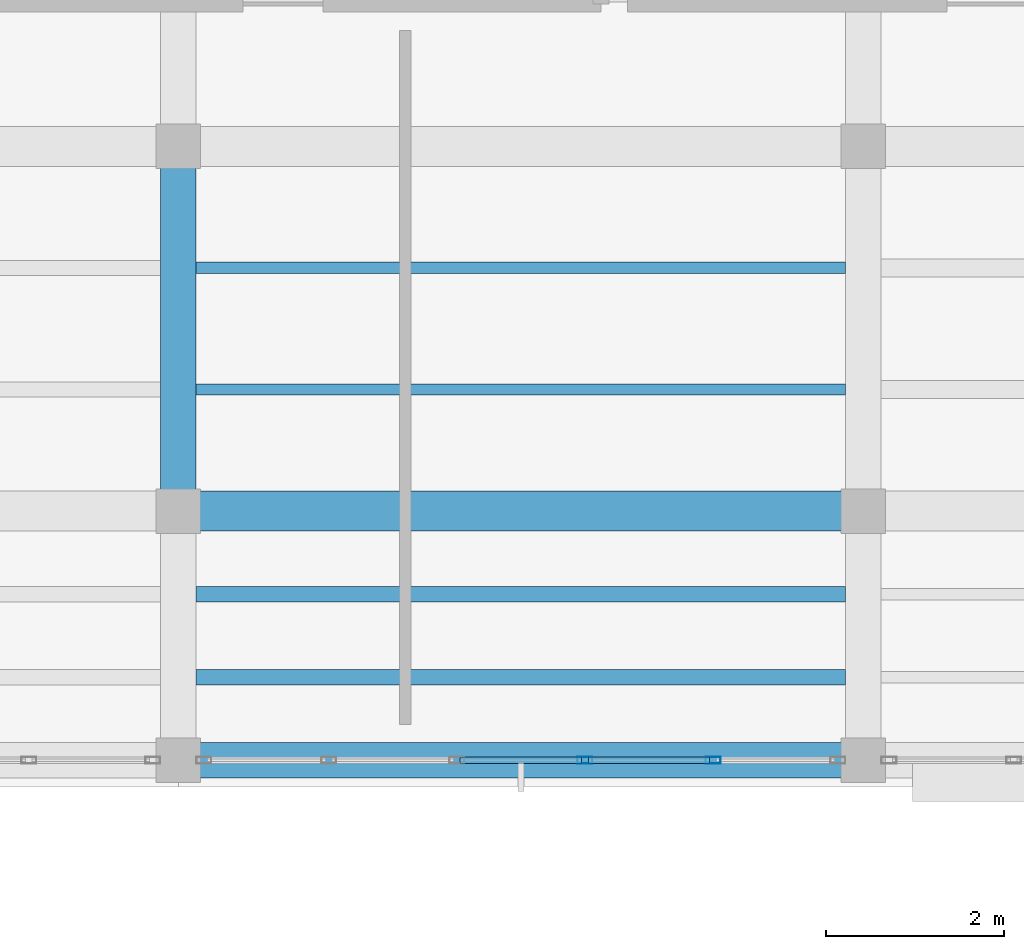
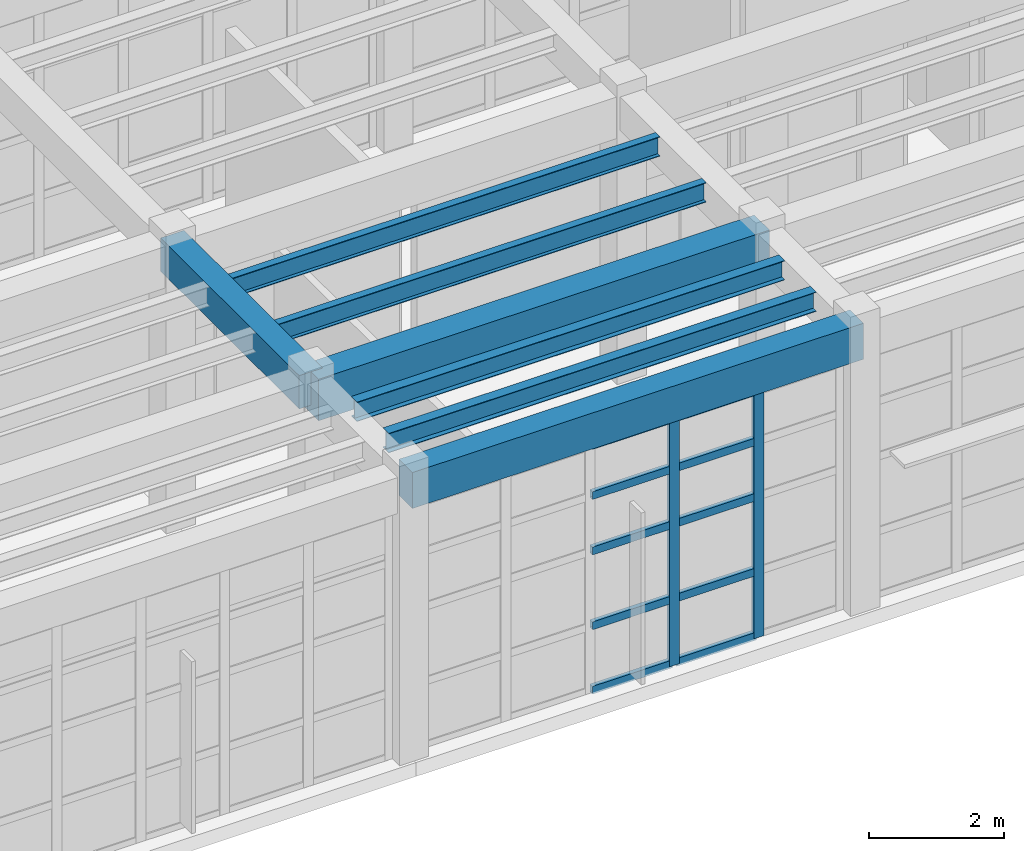
# One storey, part 26 of 103: 12 members, 7 beams, 1 element without a shape of its own.
"""IFC4 building model written with IfcOpenShell, lengths in metres."""

from ifc_helpers import new_model, si_unit, direction, frame, origin, origin_2d, place, context, subcontext, project, spatial, rectangle, hollow_rectangle, i_section, extrude, material, layer, layer_set, material_profile, profile_set, type_object, element, aggregate, save


model = new_model("IFC4")

# Units and contexts
model_context = context("Model", 3, precision=1e-05, world=origin(), true_north=direction((0.0, 1.0)))
body_context = subcontext(model_context, "Body", "Model", "MODEL_VIEW")
ifc_project = project(units=[si_unit("LENGTHUNIT", "METRE"), si_unit("AREAUNIT", "SQUARE_METRE"), si_unit("VOLUMEUNIT", "CUBIC_METRE"), si_unit("PLANEANGLEUNIT", "RADIAN"), si_unit("MASSUNIT", "GRAM", prefix="KILO")], contexts=[model_context])

# Site, building, storey
site_placement = place(None, origin())
site = spatial("IfcSite", under=ifc_project, at=site_placement, CompositionType="ELEMENT")
building_placement = place(site_placement, origin())
building = spatial("IfcBuilding", under=site, at=building_placement, Name="Candilejo Ridge Gondola Terminal", CompositionType="ELEMENT")
storey_placement = place(building_placement, frame((0.0, 0.0, 9.0)))
storey = spatial("IfcBuildingStorey", under=building, at=storey_placement, Name="L02", CompositionType="ELEMENT", Elevation=9.0)

# Curtain wall, members
ifc_material_1 = material(Name="Anodised aluminium AA 6063-T6", Category="aluminium")
ifc_layer = layer(ifc_material_1, 0.169921875)
ifc_layer_set = layer_set([ifc_layer], Name="ARC-CW-CONCOURSE-3600-720X449")
curtain_wall_type = type_object("IfcCurtainWallType", Name="ARC-CW-CONCOURSE-3600-720X449", PredefinedType="NOTDEFINED", material=ifc_layer_set)
curtain_wall_placement = place(storey_placement, origin())
curtain_wall = element("IfcCurtainWall", 1, at=curtain_wall_placement, inside=storey, type_object=curtain_wall_type, Name="Curtain wall V3 L02-089", PredefinedType="NOTDEFINED")
ifc_material_2 = material(Name="Anodised aluminium AA 6063-T6", Category="aluminium")
ifc_material_profile_1 = material_profile(ifc_material_2, hollow_rectangle(XDim=0.074951171875, YDim=0.169921875, WallThickness=0.00390625, at=origin_2d()))
ifc_profile_set_1 = profile_set([ifc_material_profile_1], Name="Anodised aluminium AA 6063-T6")
member_type_1 = type_object("IfcMemberType", Name="ARC-CW-MULLION", PredefinedType="MULLION", material=ifc_profile_set_1)
member_1_placement = place(storey_placement, frame((114.419921875, 22.89990234375, 0.0), z_axis=(0.0, 0.0, 1.0), x_axis=(0.0, 1.0, 0.0)))
member_1 = element("IfcMember", 2, at=member_1_placement, type_object=member_type_1, Name="CW-72X44 mullion 4", PredefinedType="MULLION", context=body_context, shape_type="SweptSolid", body=[
    extrude(hollow_rectangle(XDim=0.074951171875, YDim=0.169921875, WallThickness=0.00390625, at=origin_2d()), origin(), (0.0, 0.0, 1.0), 4.489990234375),
])
member_2_placement = place(storey_placement, frame((115.860107421875, 22.89990234375, 0.0), z_axis=(0.0, 0.0, 1.0), x_axis=(0.0, 1.0, 0.0)))
member_2 = element("IfcMember", 3, at=member_2_placement, type_object=member_type_1, Name="CW-72X44 mullion 5", PredefinedType="MULLION", context=body_context, shape_type="SweptSolid", body=[
    extrude(hollow_rectangle(XDim=0.074951171875, YDim=0.169921875, WallThickness=0.00390625, at=origin_2d()), origin(), (0.0, 0.0, 1.0), 4.489990234375),
])
ifc_material_3 = material(Name="Anodised aluminium AA 6063-T6", Category="aluminium")
ifc_material_profile_2 = material_profile(ifc_material_3, hollow_rectangle(XDim=0.074951171875, YDim=0.139892578125, WallThickness=0.00390625, at=origin_2d()))
ifc_profile_set_2 = profile_set([ifc_material_profile_2], Name="Anodised aluminium AA 6063-T6")
member_type_2 = type_object("IfcMemberType", Name="ARC-CW-TRANSOM", PredefinedType="USERDEFINED", material=ifc_profile_set_2)
member_3_placement = place(storey_placement, frame((113.017578125, 22.89990234375, 0.03759765625), z_axis=(1.0, 0.0, 0.0), x_axis=(0.0, 1.0, 0.0)))
member_3 = element("IfcMember", 4, at=member_3_placement, type_object=member_type_2, Name="CW-72X44 transom 3.1", ObjectType="TRANSOM", PredefinedType="USERDEFINED", context=body_context, shape_type="SweptSolid", body=[
    extrude(hollow_rectangle(XDim=0.074951171875, YDim=0.139892578125, WallThickness=0.00390625, at=origin_2d()), origin(), (0.0, 0.0, 1.0), 1.364990234375),
])
member_4_placement = place(storey_placement, frame((113.017578125, 22.89990234375, 1.199951171875), z_axis=(1.0, 0.0, 0.0), x_axis=(0.0, 1.0, 0.0)))
member_4 = element("IfcMember", 5, at=member_4_placement, type_object=member_type_2, Name="CW-72X44 transom 3.2", ObjectType="TRANSOM", PredefinedType="USERDEFINED", context=body_context, shape_type="SweptSolid", body=[
    extrude(hollow_rectangle(XDim=0.074951171875, YDim=0.139892578125, WallThickness=0.00390625, at=origin_2d()), origin(), (0.0, 0.0, 1.0), 1.364990234375),
])
member_5_placement = place(storey_placement, frame((113.017578125, 22.89990234375, 2.550048828125), z_axis=(1.0, 0.0, 0.0), x_axis=(0.0, 1.0, 0.0)))
member_5 = element("IfcMember", 6, at=member_5_placement, type_object=member_type_2, Name="CW-72X44 transom 3.3", ObjectType="TRANSOM", PredefinedType="USERDEFINED", context=body_context, shape_type="SweptSolid", body=[
    extrude(hollow_rectangle(XDim=0.074951171875, YDim=0.139892578125, WallThickness=0.00390625, at=origin_2d()), origin(), (0.0, 0.0, 1.0), 1.364990234375),
])
member_6_placement = place(storey_placement, frame((113.017578125, 22.89990234375, 3.550048828125), z_axis=(1.0, 0.0, 0.0), x_axis=(0.0, 1.0, 0.0)))
member_6 = element("IfcMember", 7, at=member_6_placement, type_object=member_type_2, Name="CW-72X44 transom 3.4", ObjectType="TRANSOM", PredefinedType="USERDEFINED", context=body_context, shape_type="SweptSolid", body=[
    extrude(hollow_rectangle(XDim=0.074951171875, YDim=0.139892578125, WallThickness=0.00390625, at=origin_2d()), origin(), (0.0, 0.0, 1.0), 1.364990234375),
])
member_7_placement = place(storey_placement, frame((113.017578125, 22.89990234375, 4.452392578125), z_axis=(1.0, 0.0, 0.0), x_axis=(0.0, 1.0, 0.0)))
member_7 = element("IfcMember", 8, at=member_7_placement, type_object=member_type_2, Name="CW-72X44 transom 3.5", ObjectType="TRANSOM", PredefinedType="USERDEFINED", context=body_context, shape_type="SweptSolid", body=[
    extrude(hollow_rectangle(XDim=0.074951171875, YDim=0.139892578125, WallThickness=0.00390625, at=origin_2d()), origin(), (0.0, 0.0, 1.0), 1.364990234375),
])
member_8_placement = place(storey_placement, frame((114.45751953125, 22.89990234375, 0.03759765625), z_axis=(1.0, 0.0, 0.0), x_axis=(0.0, 1.0, 0.0)))
member_8 = element("IfcMember", 9, at=member_8_placement, type_object=member_type_2, Name="CW-72X44 transom 4.1", ObjectType="TRANSOM", PredefinedType="USERDEFINED", context=body_context, shape_type="SweptSolid", body=[
    extrude(hollow_rectangle(XDim=0.074951171875, YDim=0.139892578125, WallThickness=0.00390625, at=origin_2d()), origin(), (0.0, 0.0, 1.0), 1.364990234375),
])
member_9_placement = place(storey_placement, frame((114.45751953125, 22.89990234375, 1.199951171875), z_axis=(1.0, 0.0, 0.0), x_axis=(0.0, 1.0, 0.0)))
member_9 = element("IfcMember", 10, at=member_9_placement, type_object=member_type_2, Name="CW-72X44 transom 4.2", ObjectType="TRANSOM", PredefinedType="USERDEFINED", context=body_context, shape_type="SweptSolid", body=[
    extrude(hollow_rectangle(XDim=0.074951171875, YDim=0.139892578125, WallThickness=0.00390625, at=origin_2d()), origin(), (0.0, 0.0, 1.0), 1.364990234375),
])
member_10_placement = place(storey_placement, frame((114.45751953125, 22.89990234375, 2.550048828125), z_axis=(1.0, 0.0, 0.0), x_axis=(0.0, 1.0, 0.0)))
member_10 = element("IfcMember", 11, at=member_10_placement, type_object=member_type_2, Name="CW-72X44 transom 4.3", ObjectType="TRANSOM", PredefinedType="USERDEFINED", context=body_context, shape_type="SweptSolid", body=[
    extrude(hollow_rectangle(XDim=0.074951171875, YDim=0.139892578125, WallThickness=0.00390625, at=origin_2d()), origin(), (0.0, 0.0, 1.0), 1.364990234375),
])
member_11_placement = place(storey_placement, frame((114.45751953125, 22.89990234375, 3.550048828125), z_axis=(1.0, 0.0, 0.0), x_axis=(0.0, 1.0, 0.0)))
member_11 = element("IfcMember", 12, at=member_11_placement, type_object=member_type_2, Name="CW-72X44 transom 4.4", ObjectType="TRANSOM", PredefinedType="USERDEFINED", context=body_context, shape_type="SweptSolid", body=[
    extrude(hollow_rectangle(XDim=0.074951171875, YDim=0.139892578125, WallThickness=0.00390625, at=origin_2d()), origin(), (0.0, 0.0, 1.0), 1.364990234375),
])
member_12_placement = place(storey_placement, frame((114.45751953125, 22.89990234375, 4.452392578125), z_axis=(1.0, 0.0, 0.0), x_axis=(0.0, 1.0, 0.0)))
member_12 = element("IfcMember", 13, at=member_12_placement, type_object=member_type_2, Name="CW-72X44 transom 4.5", ObjectType="TRANSOM", PredefinedType="USERDEFINED", context=body_context, shape_type="SweptSolid", body=[
    extrude(hollow_rectangle(XDim=0.074951171875, YDim=0.139892578125, WallThickness=0.00390625, at=origin_2d()), origin(), (0.0, 0.0, 1.0), 1.364990234375),
])
aggregate(curtain_wall, [member_1, member_2, member_3, member_4, member_5, member_6, member_7, member_8, member_9, member_10, member_11, member_12])

# Beams
ifc_material_4 = material(Name="Concrete f'c 35 MPa (C35/45)", Category="concrete")
ifc_material_profile_3 = material_profile(ifc_material_4, rectangle(XDim=0.39990234375, YDim=0.60009765625, at=origin_2d()))
ifc_profile_set_3 = profile_set([ifc_material_profile_3], Name="Concrete f'c 35 MPa (C35/45)")
beam_type_1 = type_object("IfcBeamType", Name="STR-BM-RC400X600", PredefinedType="BEAM", material=ifc_profile_set_3)
beam_1_placement = place(storey_placement, frame((109.85009765625, 25.699951171875, 4.875), z_axis=(0.0, 1.0, 0.0), x_axis=(-1.0, 0.0, 0.0)))
element("IfcBeam", 14, at=beam_1_placement, inside=storey, type_object=beam_type_1, Name="Beam Y V3 L02 Y05-Y06@X17", PredefinedType="BEAM", context=body_context, shape_type="SweptSolid", body=[
    extrude(rectangle(XDim=0.39990234375, YDim=0.60009765625, at=origin_2d()), origin(), (0.0, 0.0, 1.0), 4.10009765625),
])
ifc_material_5 = material(Name="Concrete f'c 35 MPa (C35/45)", Category="concrete")
ifc_material_profile_4 = material_profile(ifc_material_5, rectangle(XDim=0.449951171875, YDim=0.75, at=origin_2d()))
ifc_profile_set_4 = profile_set([ifc_material_profile_4], Name="Concrete f'c 35 MPa (C35/45)")
beam_type_2 = type_object("IfcBeamType", Name="STR-BM-RC450X750", PredefinedType="BEAM", material=ifc_profile_set_4)
beam_2_placement = place(storey_placement, frame((109.85009765625, 25.699951171875, 4.800048828125), z_axis=(1.0, 0.0, 0.0), x_axis=(0.0, 1.0, 0.0)))
element("IfcBeam", 15, at=beam_2_placement, inside=storey, type_object=beam_type_2, Name="Beam X V3 L02 X17-X18@Y05", PredefinedType="BEAM", context=body_context, shape_type="SweptSolid", body=[
    extrude(rectangle(XDim=0.449951171875, YDim=0.75, at=origin_2d()), origin(), (0.0, 0.0, 1.0), 7.699951171875),
])
ifc_material_6 = material(Name="Steel ASTM A992 Grade 50", Category="steel")
ifc_material_profile_5 = material_profile(ifc_material_6, i_section(OverallWidth=0.1279296875, OverallDepth=0.35302734375, WebThickness=0.006591796875, FlangeThickness=0.0107421875, at=origin_2d()))
ifc_profile_set_5 = profile_set([ifc_material_profile_5], Name="Steel ASTM A992 Grade 50")
beam_type_3 = type_object("IfcBeamType", Name="STR-JST-W360X39", PredefinedType="JOIST", material=ifc_profile_set_5)
for number, where, z_axis, x_axis, name in (
    (16, (110.050048828125, 27.066650390625, 4.99853515625), (1.0, 0.0, 0.0), (0.0, 1.0, 0.0), "Composite joist V3 L02-0569"),
    (17, (110.050048828125, 28.433349609375, 4.99853515625), (1.0, 0.0, 0.0), (0.0, 1.0, 0.0), "Composite joist V3 L02-0570"),
):
    element("IfcBeam", number, at=place(storey_placement, frame(where, z_axis=z_axis, x_axis=x_axis)), inside=storey, type_object=beam_type_3, Name=name, PredefinedType="JOIST", context=body_context, shape_type="SweptSolid", body=[
        extrude(i_section(OverallWidth=0.1279296875, OverallDepth=0.35302734375, WebThickness=0.006591796875, FlangeThickness=0.0107421875, at=origin_2d()), origin(), (0.0, 0.0, 1.0), 7.300048828125),
    ])
ifc_material_7 = material(Name="Steel ASTM A992 Grade 50", Category="steel")
ifc_material_profile_6 = material_profile(ifc_material_7, i_section(OverallWidth=0.1708984375, OverallDepth=0.35205078125, WebThickness=0.0068359375, FlangeThickness=0.009765625, at=origin_2d()))
ifc_profile_set_6 = profile_set([ifc_material_profile_6], Name="Steel ASTM A992 Grade 50")
beam_type_4 = type_object("IfcBeamType", Name="STR-JST-W360X44", PredefinedType="JOIST", material=ifc_profile_set_6)
for number, where, z_axis, x_axis, name in (
    (18, (110.050048828125, 23.833251953125, 4.9990234375), (1.0, 0.0, 0.0), (0.0, 1.0, 0.0), "Composite joist V3 L02-0567"),
    (19, (110.050048828125, 24.7666015625, 4.9990234375), (1.0, 0.0, 0.0), (0.0, 1.0, 0.0), "Composite joist V3 L02-0568"),
):
    element("IfcBeam", number, at=place(storey_placement, frame(where, z_axis=z_axis, x_axis=x_axis)), inside=storey, type_object=beam_type_4, Name=name, PredefinedType="JOIST", context=body_context, shape_type="SweptSolid", body=[
        extrude(i_section(OverallWidth=0.1708984375, OverallDepth=0.35205078125, WebThickness=0.0068359375, FlangeThickness=0.009765625, at=origin_2d()), origin(), (0.0, 0.0, 1.0), 7.300048828125),
    ])
ifc_material_8 = material(Name="Concrete f'c 35 MPa (C35/45)", Category="concrete")
ifc_material_profile_7 = material_profile(ifc_material_8, rectangle(XDim=0.39990234375, YDim=0.64990234375, at=origin_2d()))
ifc_profile_set_7 = profile_set([ifc_material_profile_7], Name="Concrete f'c 35 MPa (C35/45)")
beam_type_5 = type_object("IfcBeamType", Name="STR-SPN-RC400X650", PredefinedType="SPANDREL", material=ifc_profile_set_7)
beam_3_placement = place(storey_placement, frame((109.85009765625, 22.89990234375, 4.85009765625), z_axis=(1.0, 0.0, 0.0), x_axis=(0.0, 1.0, 0.0)))
element("IfcBeam", 20, at=beam_3_placement, inside=storey, type_object=beam_type_5, Name="Beam X V3 L02 X17-X18@Y04", PredefinedType="SPANDREL", context=body_context, shape_type="SweptSolid", body=[
    extrude(rectangle(XDim=0.39990234375, YDim=0.64990234375, at=origin_2d()), origin(), (0.0, 0.0, 1.0), 7.699951171875),
])

save(model, "model.ifc")
